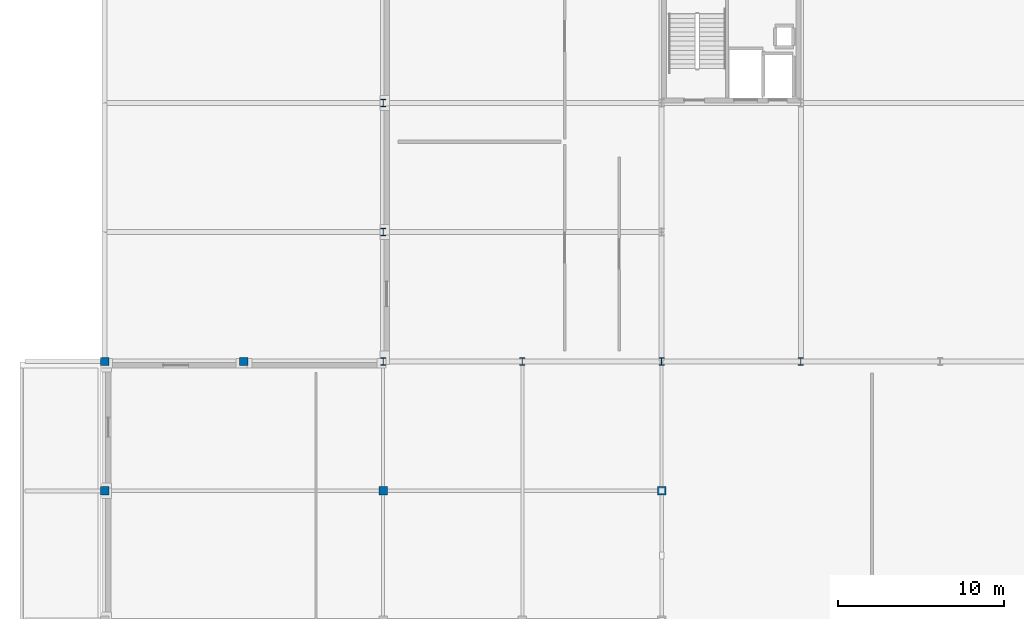
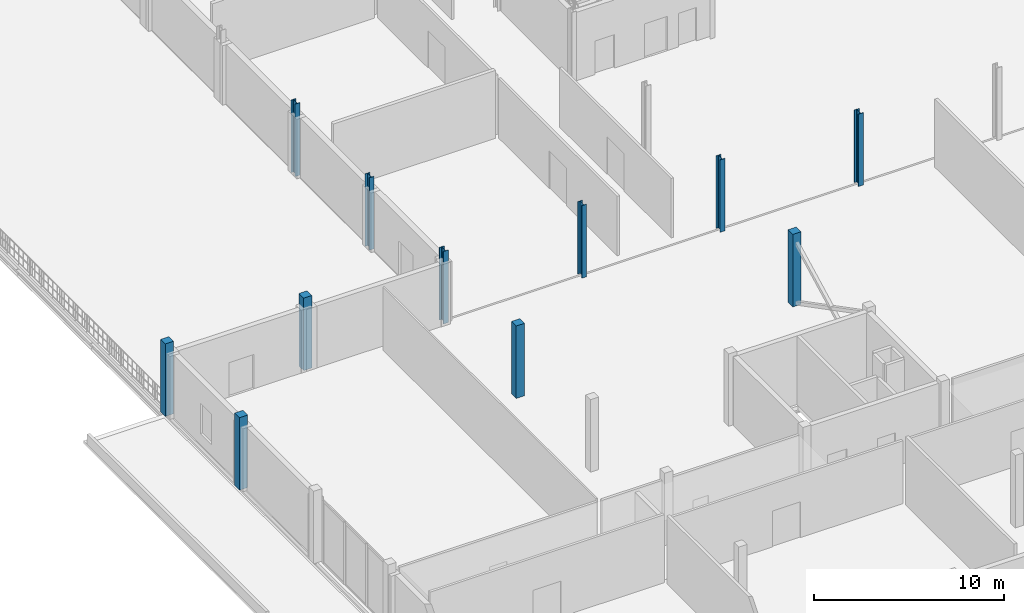
# One storey, part 3 of 98: 11 columns.
"""IFC4 building model written with IfcOpenShell, lengths in metres."""

from ifc_helpers import new_model, si_unit, direction, frame, origin, origin_2d, place, context, subcontext, project, spatial, rectangle, i_section, extrude, material, material_profile, profile_set, type_object, element, save


model = new_model("IFC4")

# Units and contexts
model_context = context("Model", 3, precision=1e-05, world=origin(), true_north=direction((0.0, 1.0)))
body_context = subcontext(model_context, "Body", "Model", "MODEL_VIEW")
ifc_project = project(units=[si_unit("LENGTHUNIT", "METRE"), si_unit("AREAUNIT", "SQUARE_METRE"), si_unit("VOLUMEUNIT", "CUBIC_METRE"), si_unit("PLANEANGLEUNIT", "RADIAN"), si_unit("MASSUNIT", "GRAM", prefix="KILO")], contexts=[model_context])

# Site, building, storey
site_placement = place(None, origin())
site = spatial("IfcSite", under=ifc_project, at=site_placement, CompositionType="ELEMENT")
building_placement = place(site_placement, origin())
building = spatial("IfcBuilding", under=site, at=building_placement, Name="Nabrawat Pavilion Hospital", CompositionType="ELEMENT")
storey_placement = place(building_placement, frame((0.0, 0.0, 10.199951171875)))
storey = spatial("IfcBuildingStorey", under=building, at=storey_placement, Name="L02", CompositionType="ELEMENT", Elevation=10.199951171875)

# Columns
ifc_material_1 = material(Name="Steel S355", Category="steel")
ifc_material_profile_1 = material_profile(ifc_material_1, i_section(OverallWidth=0.300048828125, OverallDepth=0.449951171875, WebThickness=0.013916015625, FlangeThickness=0.02587890625, FilletRadius=0.027099609375, at=origin_2d()), Name="HEB 450")
ifc_profile_set_1 = profile_set([ifc_material_profile_1], Name="Steel S355")
column_type_1 = type_object("IfcColumnType", Name="Composite Steel Column HEB 450", PredefinedType="COLUMN", material=ifc_profile_set_1)
for number, where, z_axis, x_axis, name in (
    (1, (16.800048828125, 39.0, 0.0), (0.0, 0.0, 1.0), (1.0, 0.0, 0.0), "L02 Structural Column G-3-F1"),
    (2, (16.800048828125, 46.800048828125, 0.0), (0.0, 0.0, 1.0), (1.0, 0.0, 0.0), "L02 Structural Column G-3-G"),
    (3, (16.800048828125, 54.60009765625, 0.0), (0.0, 0.0, 1.0), (1.0, 0.0, 0.0), "L02 Structural Column G-3-H"),
    (4, (25.199951171875, 39.0, 0.0), (0.0, 0.0, 1.0), (1.0, 0.0, 0.0), "L02 Structural Column G-4-F1"),
    (5, (33.60009765625, 39.0, 0.0), (0.0, 0.0, 1.0), (1.0, 0.0, 0.0), "L02 Structural Column G-5-F1"),
    (6, (42.0, 39.0, 0.0), (0.0, 0.0, 1.0), (1.0, 0.0, 0.0), "L02 Structural Column G-6-F1"),
):
    element("IfcColumn", number, at=place(storey_placement, frame(where, z_axis=z_axis, x_axis=x_axis)), inside=storey, type_object=column_type_1, Name=name, PredefinedType="COLUMN", context=body_context, shape_type="SweptSolid", body=[
        extrude(i_section(OverallWidth=0.300048828125, OverallDepth=0.449951171875, WebThickness=0.013916015625, FlangeThickness=0.02587890625, FilletRadius=0.027099609375, at=origin_2d()), origin(), (0.0, 0.0, 1.0), 4.650146484375),
    ])
ifc_material_2 = material(Name="Concrete C40/50", Category="concrete")
ifc_material_profile_2 = material_profile(ifc_material_2, rectangle(XDim=0.5, YDim=0.5, at=origin_2d()), Name="RC 500x500")
ifc_profile_set_2 = profile_set([ifc_material_profile_2], Name="Concrete C40/50")
column_type_2 = type_object("IfcColumnType", Name="Pavilion Upper RC Column 500x500", PredefinedType="COLUMN", material=ifc_profile_set_2)
for number, where, z_axis, x_axis, name in (
    (7, (0.0, 31.199951171875, 0.0), (0.0, 0.0, 1.0), (1.0, 0.0, 0.0), "L02 Structural Column G-1-E"),
    (8, (0.0, 39.0, 0.0), (0.0, 0.0, 1.0), (1.0, 0.0, 0.0), "L02 Structural Column G-1-F1"),
    (9, (8.39990234375, 39.0, 0.0), (0.0, 0.0, 1.0), (1.0, 0.0, 0.0), "L02 Structural Column G-2-F1"),
    (10, (16.800048828125, 31.199951171875, 0.0), (0.0, 0.0, 1.0), (1.0, 0.0, 0.0), "L02 Structural Column G-3-E"),
    (11, (33.60009765625, 31.199951171875, 0.0), (0.0, 0.0, 1.0), (1.0, 0.0, 0.0), "L02 Structural Column G-5-E"),
):
    element("IfcColumn", number, at=place(storey_placement, frame(where, z_axis=z_axis, x_axis=x_axis)), inside=storey, type_object=column_type_2, Name=name, PredefinedType="COLUMN", context=body_context, shape_type="SweptSolid", body=[
        extrude(rectangle(XDim=0.5, YDim=0.5, at=origin_2d()), origin(), (0.0, 0.0, 1.0), 4.650146484375),
    ])

save(model, "model.ifc")
